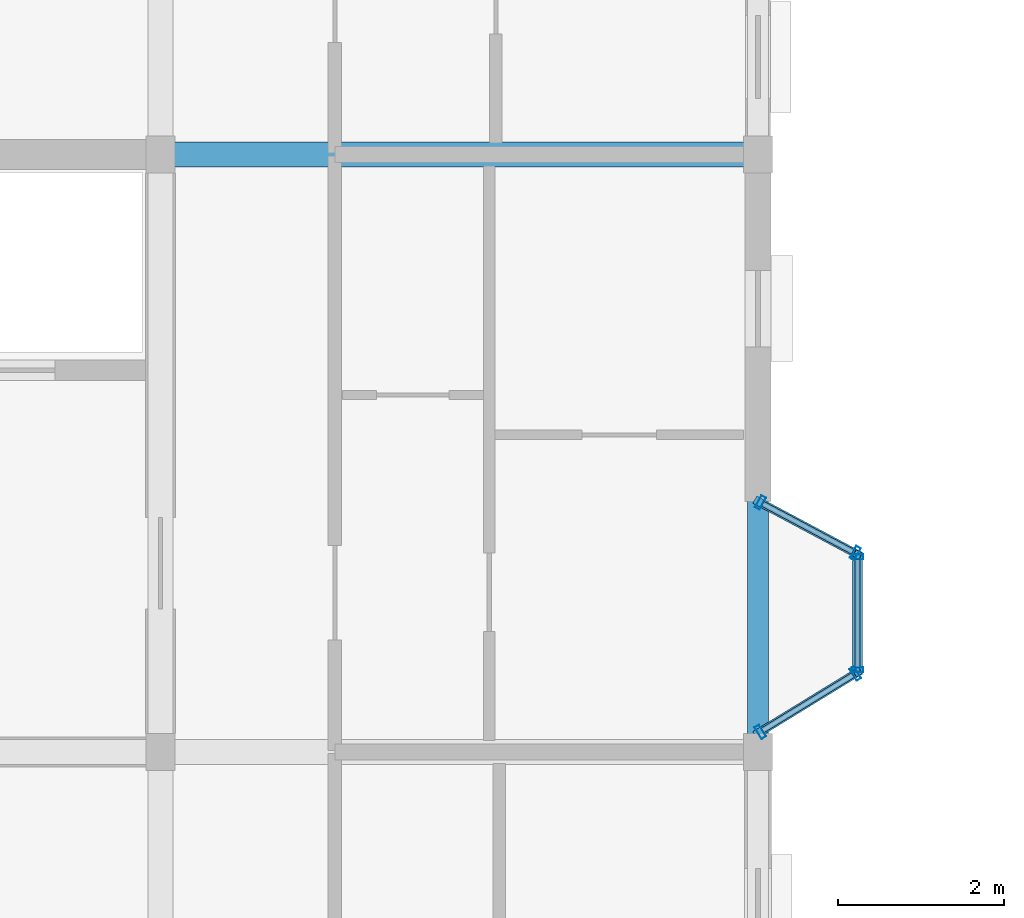
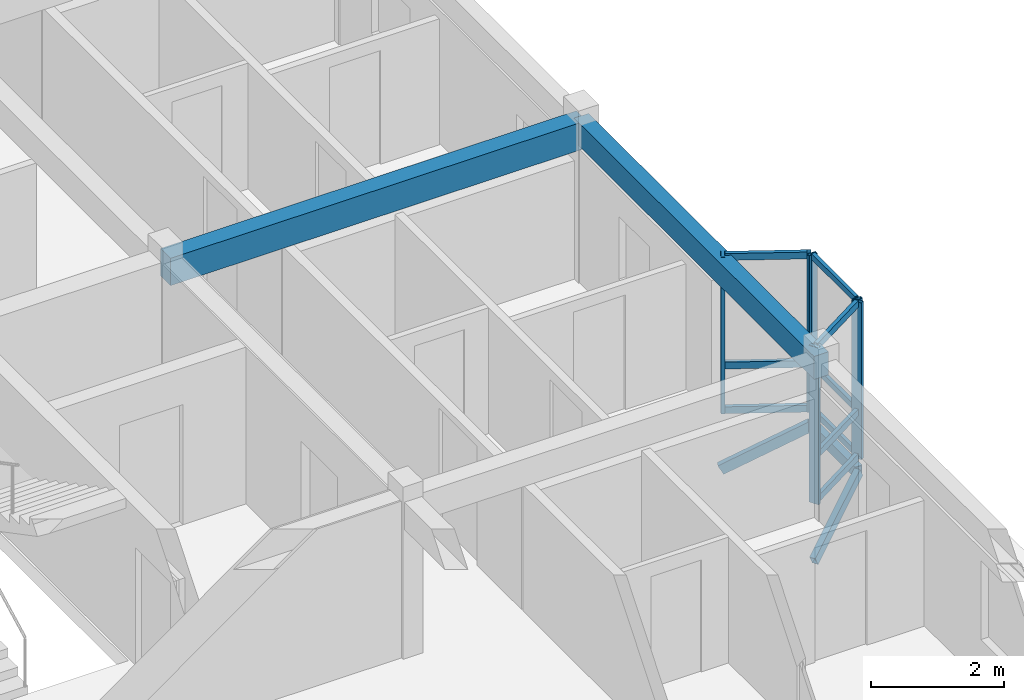
# One storey, part 6 of 22: 18 members, 2 beams, 3 elements without a shape of their own.
"""IFC4 building model written with IfcOpenShell, lengths in metres."""

from ifc_helpers import new_model, si_unit, direction, frame, origin, origin_2d, place, context, subcontext, project, spatial, rectangle, hollow_rectangle, extrude, material, layer, layer_set, material_profile, profile_set, type_object, element, aggregate, save


model = new_model("IFC4")

# Units and contexts
model_context = context("Model", 3, precision=1e-05, world=origin(), true_north=direction((0.0, 1.0)))
body_context = subcontext(model_context, "Body", "Model", "MODEL_VIEW")
ifc_project = project(units=[si_unit("LENGTHUNIT", "METRE"), si_unit("AREAUNIT", "SQUARE_METRE"), si_unit("VOLUMEUNIT", "CUBIC_METRE"), si_unit("PLANEANGLEUNIT", "RADIAN"), si_unit("MASSUNIT", "GRAM", prefix="KILO"), si_unit("THERMODYNAMICTEMPERATUREUNIT", "KELVIN"), si_unit("POWERUNIT", "WATT")], contexts=[model_context])

# Site, building, storey
site_placement = place(None, origin())
site = spatial("IfcSite", under=ifc_project, at=site_placement, CompositionType="ELEMENT")
building_placement = place(site_placement, origin())
building = spatial("IfcBuilding", under=site, at=building_placement, Name="Tavuni Mirador Residences", CompositionType="ELEMENT")
storey_placement = place(building_placement, frame((0.0, 0.0, 45.449951171875)))
storey = spatial("IfcBuildingStorey", under=building, at=storey_placement, Name="L14", CompositionType="ELEMENT", Elevation=45.449951171875)

# Beams
ifc_material_1 = material(Name="Precast concrete C40/50", Category="concrete")
ifc_material_profile_1 = material_profile(ifc_material_1, rectangle(XDim=0.300048828125, YDim=0.5, at=origin_2d()), Name="PC 300x500", Category="concrete")
ifc_profile_set_1 = profile_set([ifc_material_profile_1], Name="Precast concrete C40/50")
beam_type_1 = type_object("IfcBeamType", Name="BT-B500", PredefinedType="BEAM", material=ifc_profile_set_1)
beam_1_placement = place(storey_placement, frame((18.0, 21.60009765625, 2.6201171875), z_axis=(1.0, 0.0, 0.0), x_axis=(0.0, 1.0, 0.0)))
element("IfcBeam", 1, at=beam_1_placement, inside=storey, type_object=beam_type_1, Name="BMX-BLK-A-L14-02-02", PredefinedType="BEAM", context=body_context, shape_type="SweptSolid", body=[
    extrude(rectangle(XDim=0.300048828125, YDim=0.5, at=origin_2d()), origin(), (0.0, 0.0, 1.0), 7.199951171875),
])
ifc_material_profile_2 = material_profile(ifc_material_1, rectangle(XDim=0.25, YDim=0.419921875, at=origin_2d()), Name="PC 250x420", Category="concrete")
ifc_profile_set_2 = profile_set([ifc_material_profile_2], Name="Precast concrete C40/50")
beam_type_2 = type_object("IfcBeamType", Name="BT-SP420", PredefinedType="SPANDREL", material=ifc_profile_set_2)
beam_2_placement = place(storey_placement, frame((25.199951171875, 14.39990234375, 2.66015625), z_axis=(0.0, 1.0, 0.0), x_axis=(-1.0, 0.0, 0.0)))
element("IfcBeam", 2, at=beam_2_placement, inside=storey, type_object=beam_type_2, Name="BMY-BLK-A-L14-03-01", PredefinedType="SPANDREL", context=body_context, shape_type="SweptSolid", body=[
    extrude(rectangle(XDim=0.25, YDim=0.419921875, at=origin_2d()), origin(), (0.0, 0.0, 1.0), 7.2001953125),
])

# Curtain wall, members
ifc_material_2 = material(Name="Anodised aluminium", Category="aluminium")
ifc_layer_1 = layer(ifc_material_2, 0.1650390625, Name="Anodised aluminium", Category="aluminium")
ifc_layer_set_1 = layer_set([ifc_layer_1], Name="Anodised aluminium")
curtain_wall_type_1 = type_object("IfcCurtainWallType", Name="CWT-MIR-A", PredefinedType="NOTDEFINED", material=ifc_layer_set_1)
curtain_wall_1_placement = place(storey_placement, origin())
curtain_wall_1 = element("IfcCurtainWall", 3, at=curtain_wall_1_placement, inside=storey, type_object=curtain_wall_type_1, Name="CW-MIR-A-EU-L14-MF", PredefinedType="NOTDEFINED")
ifc_material_profile_3 = material_profile(ifc_material_2, hollow_rectangle(XDim=0.06005859375, YDim=0.139892578125, WallThickness=0.00390625, at=origin_2d()), Name="ALU 60x140x4.0", Category="aluminium")
ifc_profile_set_3 = profile_set([ifc_material_profile_3], Name="Anodised aluminium")
member_type_1 = type_object("IfcMemberType", Name="CWM-140", PredefinedType="MULLION", material=ifc_profile_set_3)
member_1_placement = place(storey_placement, frame((26.39990234375, 15.389892578125, 0.0), z_axis=(0.0, 0.0, 1.0), x_axis=(0.0, 1.0, 0.0)))
member_1 = element("IfcMember", 4, at=member_1_placement, type_object=member_type_1, Name="CW-01 mullion 1", PredefinedType="MULLION", context=body_context, shape_type="SweptSolid", body=[
    extrude(hollow_rectangle(XDim=0.06005859375, YDim=0.139892578125, WallThickness=0.00390625, at=origin_2d()), origin(), (0.0, 0.0, 1.0), 2.8701171875),
])
member_2_placement = place(storey_placement, frame((26.39990234375, 16.75, 0.0), z_axis=(0.0, 0.0, 1.0), x_axis=(0.0, 1.0, 0.0)))
member_2 = element("IfcMember", 5, at=member_2_placement, type_object=member_type_1, Name="CW-01 mullion 2", PredefinedType="MULLION", context=body_context, shape_type="SweptSolid", body=[
    extrude(hollow_rectangle(XDim=0.06005859375, YDim=0.139892578125, WallThickness=0.00390625, at=origin_2d()), origin(), (0.0, 0.0, 1.0), 2.8701171875),
])

ifc_layer_2 = layer(ifc_material_2, 0.159912109375, Name="Anodised aluminium", Category="aluminium")
ifc_layer_set_2 = layer_set([ifc_layer_2], Name="Anodised aluminium")
curtain_wall_type_2 = type_object("IfcCurtainWallType", Name="CWT-MIR-D", PredefinedType="NOTDEFINED", material=ifc_layer_set_2)
curtain_wall_2_placement = place(storey_placement, origin())
curtain_wall_2 = element("IfcCurtainWall", 6, at=curtain_wall_2_placement, inside=storey, type_object=curtain_wall_type_2, Name="CW-MIR-A-EU-L14-M1", PredefinedType="NOTDEFINED")
ifc_material_profile_4 = material_profile(ifc_material_2, hollow_rectangle(XDim=0.06494140625, YDim=0.1650390625, WallThickness=0.00439453125, at=origin_2d()), Name="ALU 65x165x4.5", Category="aluminium")
ifc_profile_set_4 = profile_set([ifc_material_profile_4], Name="Anodised aluminium")
member_type_2 = type_object("IfcMemberType", Name="CWM-165", PredefinedType="MULLION", material=ifc_profile_set_4)
member_3_placement = place(storey_placement, frame((25.227783203125, 14.64208984375, 0.0), z_axis=(0.0, 0.0, 1.0), x_axis=(0.852754414845, 0.522312079088, 0.0)))
member_3 = element("IfcMember", 7, at=member_3_placement, type_object=member_type_2, Name="CW-04 mullion 1", PredefinedType="MULLION", context=body_context, shape_type="SweptSolid", body=[
    extrude(hollow_rectangle(XDim=0.06494140625, YDim=0.1650390625, WallThickness=0.00439453125, at=origin_2d()), origin(), (0.0, 0.0, 1.0), 2.8701171875),
])
member_4_placement = place(storey_placement, frame((26.372314453125, 15.343017578125, 0.0), z_axis=(0.0, 0.0, 1.0), x_axis=(0.852754414845, 0.522312079088, 0.0)))
member_4 = element("IfcMember", 8, at=member_4_placement, type_object=member_type_2, Name="CW-04 mullion 2", PredefinedType="MULLION", context=body_context, shape_type="SweptSolid", body=[
    extrude(hollow_rectangle(XDim=0.06494140625, YDim=0.1650390625, WallThickness=0.00439453125, at=origin_2d()), origin(), (0.0, 0.0, 1.0), 2.8701171875),
])

ifc_layer_3 = layer(ifc_material_2, 0.14990234375, Name="Anodised aluminium", Category="aluminium")
ifc_layer_set_3 = layer_set([ifc_layer_3], Name="Anodised aluminium")
curtain_wall_type_3 = type_object("IfcCurtainWallType", Name="CWT-MIR-B", PredefinedType="NOTDEFINED", material=ifc_layer_set_3)
curtain_wall_3_placement = place(storey_placement, origin())
curtain_wall_3 = element("IfcCurtainWall", 9, at=curtain_wall_3_placement, inside=storey, type_object=curtain_wall_type_3, Name="CW-MIR-A-EU-L14-M2", PredefinedType="NOTDEFINED")
member_5_placement = place(storey_placement, frame((26.371337890625, 16.79541015625, 0.0), z_axis=(0.0, 0.0, 1.0), x_axis=(-0.882352941175, 0.470588235296, 0.0)))
member_5 = element("IfcMember", 10, at=member_5_placement, type_object=member_type_2, Name="CW-02 mullion 1", PredefinedType="MULLION", context=body_context, shape_type="SweptSolid", body=[
    extrude(hollow_rectangle(XDim=0.06494140625, YDim=0.1650390625, WallThickness=0.00439453125, at=origin_2d()), origin(), (0.0, 0.0, 1.0), 2.8701171875),
])
member_6_placement = place(storey_placement, frame((25.228759765625, 17.40478515625, 0.0), z_axis=(0.0, 0.0, 1.0), x_axis=(-0.882352941175, 0.470588235296, 0.0)))
member_6 = element("IfcMember", 11, at=member_6_placement, type_object=member_type_2, Name="CW-02 mullion 2", PredefinedType="MULLION", context=body_context, shape_type="SweptSolid", body=[
    extrude(hollow_rectangle(XDim=0.06494140625, YDim=0.1650390625, WallThickness=0.00439453125, at=origin_2d()), origin(), (0.0, 0.0, 1.0), 2.8701171875),
])

# Member
ifc_material_profile_5 = material_profile(ifc_material_2, hollow_rectangle(XDim=0.06005859375, YDim=0.110107421875, WallThickness=0.00390625, at=origin_2d()), Name="ALU 60x110x4.0", Category="aluminium")
ifc_profile_set_5 = profile_set([ifc_material_profile_5], Name="Anodised aluminium")
member_type_3 = type_object("IfcMemberType", Name="CWT-110", PredefinedType="USERDEFINED", material=ifc_profile_set_5)
member_7_placement = place(storey_placement, frame((26.39990234375, 15.419921875, 0.030029296875), z_axis=(0.0, 1.0, 0.0), x_axis=(-1.0, 0.0, 0.0)))
member_7 = element("IfcMember", 12, at=member_7_placement, type_object=member_type_3, Name="CW-01 transom 1.1", ObjectType="TRANSOM", PredefinedType="USERDEFINED", context=body_context, shape_type="SweptSolid", body=[
    extrude(hollow_rectangle(XDim=0.06005859375, YDim=0.110107421875, WallThickness=0.00390625, at=origin_2d()), origin(), (0.0, 0.0, 1.0), 1.300048828125),
])

member_8_placement = place(storey_placement, frame((26.39990234375, 15.419921875, 0.85009765625), z_axis=(0.0, 1.0, 0.0), x_axis=(-1.0, 0.0, 0.0)))
member_8 = element("IfcMember", 13, at=member_8_placement, type_object=member_type_3, Name="CW-01 transom 1.2", ObjectType="TRANSOM", PredefinedType="USERDEFINED", context=body_context, shape_type="SweptSolid", body=[
    extrude(hollow_rectangle(XDim=0.06005859375, YDim=0.110107421875, WallThickness=0.00390625, at=origin_2d()), origin(), (0.0, 0.0, 1.0), 1.300048828125),
])

member_9_placement = place(storey_placement, frame((26.39990234375, 15.419921875, 2.840087890625), z_axis=(0.0, 1.0, 0.0), x_axis=(-1.0, 0.0, 0.0)))
member_9 = element("IfcMember", 14, at=member_9_placement, type_object=member_type_3, Name="CW-01 transom 1.3", ObjectType="TRANSOM", PredefinedType="USERDEFINED", context=body_context, shape_type="SweptSolid", body=[
    extrude(hollow_rectangle(XDim=0.06005859375, YDim=0.110107421875, WallThickness=0.00390625, at=origin_2d()), origin(), (0.0, 0.0, 1.0), 1.300048828125),
])

aggregate(curtain_wall_1, [member_1, member_2, member_7, member_8, member_9])

ifc_material_profile_6 = material_profile(ifc_material_2, hollow_rectangle(XDim=0.06494140625, YDim=0.125, WallThickness=0.00439453125, at=origin_2d()), Name="ALU 65x125x4.5", Category="aluminium")
ifc_profile_set_6 = profile_set([ifc_material_profile_6], Name="Anodised aluminium")
member_type_4 = type_object("IfcMemberType", Name="CWT-125", PredefinedType="USERDEFINED", material=ifc_profile_set_6)
member_10_placement = place(storey_placement, frame((25.25537109375, 14.658935546875, 0.032470703125), z_axis=(0.852785278585, 0.522261685966, 0.0), x_axis=(-0.522261685966, 0.852785278585, 0.0)))
member_10 = element("IfcMember", 15, at=member_10_placement, type_object=member_type_4, Name="CW-04 transom 1.1", ObjectType="TRANSOM", PredefinedType="USERDEFINED", context=body_context, shape_type="SweptSolid", body=[
    extrude(hollow_rectangle(XDim=0.06494140625, YDim=0.125, WallThickness=0.00439453125, at=origin_2d()), origin(), (0.0, 0.0, 1.0), 1.277099609375),
])

member_11_placement = place(storey_placement, frame((25.25537109375, 14.658935546875, 0.85009765625), z_axis=(0.852785278585, 0.522261685966, 0.0), x_axis=(-0.522261685966, 0.852785278585, 0.0)))
member_11 = element("IfcMember", 16, at=member_11_placement, type_object=member_type_4, Name="CW-04 transom 1.2", ObjectType="TRANSOM", PredefinedType="USERDEFINED", context=body_context, shape_type="SweptSolid", body=[
    extrude(hollow_rectangle(XDim=0.06494140625, YDim=0.125, WallThickness=0.00439453125, at=origin_2d()), origin(), (0.0, 0.0, 1.0), 1.277099609375),
])

member_12_placement = place(storey_placement, frame((25.25537109375, 14.658935546875, 2.837646484375), z_axis=(0.852785278585, 0.522261685966, 0.0), x_axis=(-0.522261685966, 0.852785278585, 0.0)))
member_12 = element("IfcMember", 17, at=member_12_placement, type_object=member_type_4, Name="CW-04 transom 1.3", ObjectType="TRANSOM", PredefinedType="USERDEFINED", context=body_context, shape_type="SweptSolid", body=[
    extrude(hollow_rectangle(XDim=0.06494140625, YDim=0.125, WallThickness=0.00439453125, at=origin_2d()), origin(), (0.0, 0.0, 1.0), 1.277099609375),
])

aggregate(curtain_wall_2, [member_3, member_4, member_10, member_11, member_12])

member_13_placement = place(storey_placement, frame((26.342529296875, 16.810546875, 0.032470703125), z_axis=(-0.882325465843, 0.470639747922, 0.0), x_axis=(-0.470639747922, -0.882325465843, 0.0)))
member_13 = element("IfcMember", 18, at=member_13_placement, type_object=member_type_4, Name="CW-02 transom 1.1", ObjectType="TRANSOM", PredefinedType="USERDEFINED", context=body_context, shape_type="SweptSolid", body=[
    extrude(hollow_rectangle(XDim=0.06494140625, YDim=0.125, WallThickness=0.00439453125, at=origin_2d()), origin(), (0.0, 0.0, 1.0), 1.22998046875),
])

member_14_placement = place(storey_placement, frame((26.342529296875, 16.810546875, 0.85009765625), z_axis=(-0.882325465843, 0.470639747922, 0.0), x_axis=(-0.470639747922, -0.882325465843, 0.0)))
member_14 = element("IfcMember", 19, at=member_14_placement, type_object=member_type_4, Name="CW-02 transom 1.2", ObjectType="TRANSOM", PredefinedType="USERDEFINED", context=body_context, shape_type="SweptSolid", body=[
    extrude(hollow_rectangle(XDim=0.06494140625, YDim=0.125, WallThickness=0.00439453125, at=origin_2d()), origin(), (0.0, 0.0, 1.0), 1.22998046875),
])

member_15_placement = place(storey_placement, frame((26.342529296875, 16.810546875, 2.837646484375), z_axis=(-0.882325465843, 0.470639747922, 0.0), x_axis=(-0.470639747922, -0.882325465843, 0.0)))
member_15 = element("IfcMember", 20, at=member_15_placement, type_object=member_type_4, Name="CW-02 transom 1.3", ObjectType="TRANSOM", PredefinedType="USERDEFINED", context=body_context, shape_type="SweptSolid", body=[
    extrude(hollow_rectangle(XDim=0.06494140625, YDim=0.125, WallThickness=0.00439453125, at=origin_2d()), origin(), (0.0, 0.0, 1.0), 1.22998046875),
])

aggregate(curtain_wall_3, [member_5, member_6, member_13, member_14, member_15])

# Members
ifc_material_3 = material(Name="Structural steel S355", Category="steel")
ifc_material_profile_7 = material_profile(ifc_material_3, hollow_rectangle(XDim=0.10009765625, YDim=0.179931640625, WallThickness=0.008056640625, at=origin_2d()), Name="RHS 180x100x8.0", Category="steel")
ifc_profile_set_7 = profile_set([ifc_material_profile_7], Name="Structural steel S355")
member_type_5 = type_object("IfcMemberType", Name="MT-BR-RHS180", PredefinedType="BRACE", material=ifc_profile_set_7)
member_16_placement = place(storey_placement, frame((25.199951171875, 14.625, -1.050048828125), z_axis=(0.74804402092, 0.458262573142, 0.480026620953), x_axis=(-0.522383043033, 0.852710945369, 0.0)))
element("IfcMember", 21, at=member_16_placement, inside=storey, type_object=member_type_5, Name="MBRK-MIR-A-EU-L14-1", PredefinedType="BRACE", context=body_context, shape_type="SweptSolid", body=[
    extrude(hollow_rectangle(XDim=0.10009765625, YDim=0.179931640625, WallThickness=0.008056640625, at=origin_2d()), origin(), (0.0, 0.0, 1.0), 1.60400390625),
])
member_17_placement = place(storey_placement, frame((25.199951171875, 17.419921875, -1.050048828125), z_axis=(0.767832085801, -0.409458371696, 0.492724801346), x_axis=(0.47054164445, 0.882377788047, 0.0)))
element("IfcMember", 22, at=member_17_placement, inside=storey, type_object=member_type_5, Name="MBRK-MIR-A-EU-L14-2", PredefinedType="BRACE", context=body_context, shape_type="SweptSolid", body=[
    extrude(hollow_rectangle(XDim=0.10009765625, YDim=0.179931640625, WallThickness=0.008056640625, at=origin_2d()), origin(), (0.0, 0.0, 1.0), 1.562744140625),
])
ifc_material_profile_8 = material_profile(ifc_material_3, hollow_rectangle(XDim=0.1201171875, YDim=0.199951171875, WallThickness=0.010009765625, at=origin_2d()), Name="RHS 200x120x10.0", Category="steel")
ifc_profile_set_8 = profile_set([ifc_material_profile_8], Name="Structural steel S355")
member_type_6 = type_object("IfcMemberType", Name="MT-ST-RHS200", PredefinedType="STRUT", material=ifc_profile_set_8)
member_18_placement = place(storey_placement, frame((26.39990234375, 15.360107421875, -0.280029296875), z_axis=(0.0, 1.0, 0.0), x_axis=(-1.0, 0.0, 0.0)))
element("IfcMember", 23, at=member_18_placement, inside=storey, type_object=member_type_6, Name="MRIM-MIR-A-EU-L14", PredefinedType="STRUT", context=body_context, shape_type="SweptSolid", body=[
    extrude(hollow_rectangle(XDim=0.1201171875, YDim=0.199951171875, WallThickness=0.010009765625, at=origin_2d()), origin(), (0.0, 0.0, 1.0), 1.419921875),
])

save(model, "model.ifc")
